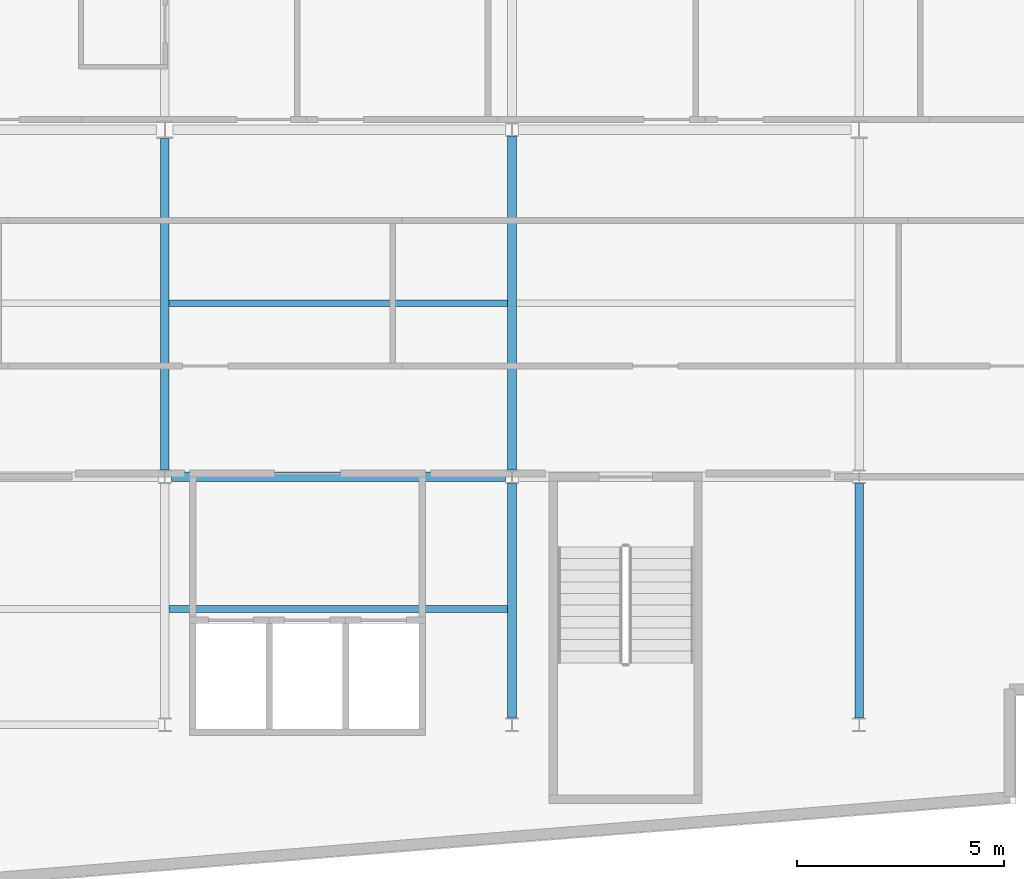
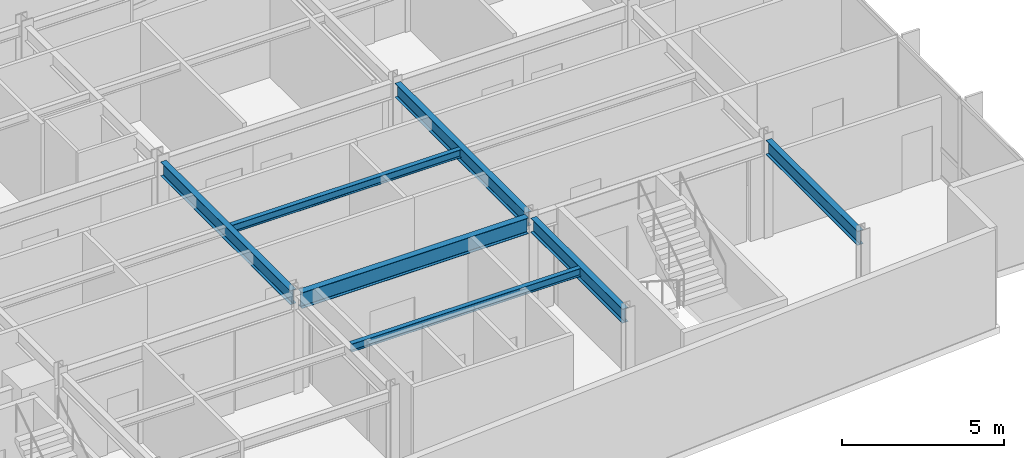
# One storey, part 4 of 18: 7 beams.
"""IFC4 building model written with IfcOpenShell, lengths in metres."""

from ifc_helpers import new_model, si_unit, direction, frame, origin, origin_2d, place, context, subcontext, project, spatial, i_section, extrude, material, material_profile, profile_set, type_object, element, save


model = new_model("IFC4")

# Units and contexts
model_context = context("Model", 3, precision=1e-05, world=origin(), true_north=direction((0.0, 1.0)))
body_context = subcontext(model_context, "Body", "Model", "MODEL_VIEW")
ifc_project = project(units=[si_unit("LENGTHUNIT", "METRE"), si_unit("AREAUNIT", "SQUARE_METRE"), si_unit("VOLUMEUNIT", "CUBIC_METRE"), si_unit("PLANEANGLEUNIT", "RADIAN"), si_unit("MASSUNIT", "GRAM", prefix="KILO")], contexts=[model_context])

# Site, building, storey
site_placement = place(None, origin())
site = spatial("IfcSite", under=ifc_project, at=site_placement, CompositionType="ELEMENT")
building_placement = place(site_placement, origin())
building = spatial("IfcBuilding", under=site, at=building_placement, Name="Varnakote Quay Hospital", CompositionType="ELEMENT")
storey_placement = place(building_placement, frame((0.0, 0.0, 123.10009765625)))
storey = spatial("IfcBuildingStorey", under=building, at=storey_placement, Name="L30", CompositionType="ELEMENT", Elevation=123.10009765625)

# Beams
ifc_material_1 = material(Name="Structural steel AS/NZS 3679.1 Grade 350 L0 (fy 340 MPa)", Category="steel")
ifc_material_profile_1 = material_profile(ifc_material_1, i_section(OverallWidth=0.208984375, OverallDepth=0.532958984375, WebThickness=0.01025390625, FlangeThickness=0.015625, FilletRadius=0.013916015625, at=origin_2d()), Name="530UB92.4")
ifc_profile_set_1 = profile_set([ifc_material_profile_1], Name="Structural steel AS/NZS 3679.1 Grade 350 L0 (fy 340 MPa)")
beam_type_1 = type_object("IfcBeamType", Name="BM-STL-530UB92-4", PredefinedType="BEAM", material=ifc_profile_set_1)
beam_1_placement = place(storey_placement, frame((33.60009765625, 12.160400390625, 3.443359375), z_axis=(0.0, 1.0, 0.0), x_axis=(-1.0, 0.0, 0.0)))
element("IfcBeam", 1, at=beam_1_placement, inside=storey, type_object=beam_type_1, Name="L30 Primary Tie Beam", PredefinedType="BEAM", context=body_context, shape_type="SweptSolid", body=[
    extrude(i_section(OverallWidth=0.208984375, OverallDepth=0.532958984375, WebThickness=0.01025390625, FlangeThickness=0.015625, FilletRadius=0.013916015625, at=origin_2d()), origin(), (0.0, 0.0, 1.0), 8.029541015625),
])
beam_2_placement = place(storey_placement, frame((42.0, 6.160400390625, 3.443359375), z_axis=(0.0, 1.0, 0.0), x_axis=(-1.0, 0.0, 0.0)))
element("IfcBeam", 2, at=beam_2_placement, inside=storey, type_object=beam_type_1, Name="L30 Primary Tie Beam", PredefinedType="BEAM", context=body_context, shape_type="SweptSolid", body=[
    extrude(i_section(OverallWidth=0.208984375, OverallDepth=0.532958984375, WebThickness=0.01025390625, FlangeThickness=0.015625, FilletRadius=0.013916015625, at=origin_2d()), origin(), (0.0, 0.0, 1.0), 5.67919921875),
])
beam_3_placement = place(storey_placement, frame((42.0, 12.160400390625, 3.443359375), z_axis=(0.0, 1.0, 0.0), x_axis=(-1.0, 0.0, 0.0)))
element("IfcBeam", 3, at=beam_3_placement, inside=storey, type_object=beam_type_1, Name="L30 Primary Tie Beam", PredefinedType="BEAM", context=body_context, shape_type="SweptSolid", body=[
    extrude(i_section(OverallWidth=0.208984375, OverallDepth=0.532958984375, WebThickness=0.01025390625, FlangeThickness=0.015625, FilletRadius=0.013916015625, at=origin_2d()), origin(), (0.0, 0.0, 1.0), 8.0791015625),
])
beam_4_placement = place(storey_placement, frame((50.39990234375, 6.160400390625, 3.443359375), z_axis=(0.0, 1.0, 0.0), x_axis=(-1.0, 0.0, 0.0)))
element("IfcBeam", 4, at=beam_4_placement, inside=storey, type_object=beam_type_1, Name="L30 Primary Tie Beam", PredefinedType="BEAM", context=body_context, shape_type="SweptSolid", body=[
    extrude(i_section(OverallWidth=0.208984375, OverallDepth=0.532958984375, WebThickness=0.01025390625, FlangeThickness=0.015625, FilletRadius=0.013916015625, at=origin_2d()), origin(), (0.0, 0.0, 1.0), 5.67919921875),
])
ifc_material_2 = material(Name="Structural steel AS/NZS 3679.1 Grade 350 L0 (fy 340 MPa)", Category="steel")
ifc_material_profile_2 = material_profile(ifc_material_2, i_section(OverallWidth=0.22802734375, OverallDepth=0.60205078125, WebThickness=0.010498046875, FlangeThickness=0.014892578125, FilletRadius=0.013916015625, at=origin_2d()), Name="610UB101")
ifc_profile_set_2 = profile_set([ifc_material_profile_2], Name="Structural steel AS/NZS 3679.1 Grade 350 L0 (fy 340 MPa)")
beam_type_2 = type_object("IfcBeamType", Name="BM-STL-610UB101", PredefinedType="BEAM", material=ifc_profile_set_2)
beam_5_placement = place(storey_placement, frame((33.75439453125, 12.0, 3.408935546875), z_axis=(1.0, 0.0, 0.0), x_axis=(0.0, 1.0, 0.0)))
element("IfcBeam", 5, at=beam_5_placement, inside=storey, type_object=beam_type_2, Name="L30 Primary Floor Beam", PredefinedType="BEAM", context=body_context, shape_type="SweptSolid", body=[
    extrude(i_section(OverallWidth=0.22802734375, OverallDepth=0.60205078125, WebThickness=0.010498046875, FlangeThickness=0.014892578125, FilletRadius=0.013916015625, at=origin_2d()), origin(), (0.0, 0.0, 1.0), 8.091064453125),
])
ifc_material_3 = material(Name="Structural steel AS/NZS 3679.1 Grade 350 L0 (fy 340 MPa)", Category="steel")
ifc_material_profile_3 = material_profile(ifc_material_3, i_section(OverallWidth=0.1650390625, OverallDepth=0.303955078125, WebThickness=0.006103515625, FlangeThickness=0.01025390625, FilletRadius=0.011474609375, at=origin_2d()), Name="310UB40.4")
ifc_profile_set_3 = profile_set([ifc_material_profile_3], Name="Structural steel AS/NZS 3679.1 Grade 350 L0 (fy 340 MPa)")
beam_type_3 = type_object("IfcBeamType", Name="JST-STL-310UB40-4", PredefinedType="JOIST", material=ifc_profile_set_3)
for number, where, z_axis, x_axis, name in (
    (6, (33.70458984375, 8.800048828125, 3.557861328125), (1.0, 0.0, 0.0), (0.0, 1.0, 0.0), "L30 Composite Floor Joist"),
    (7, (33.70458984375, 16.199951171875, 3.557861328125), (1.0, 0.0, 0.0), (0.0, 1.0, 0.0), "L30 Composite Floor Joist"),
):
    element("IfcBeam", number, at=place(storey_placement, frame(where, z_axis=z_axis, x_axis=x_axis)), inside=storey, type_object=beam_type_3, Name=name, PredefinedType="JOIST", context=body_context, shape_type="SweptSolid", body=[
        extrude(i_section(OverallWidth=0.1650390625, OverallDepth=0.303955078125, WebThickness=0.006103515625, FlangeThickness=0.01025390625, FilletRadius=0.011474609375, at=origin_2d()), origin(), (0.0, 0.0, 1.0), 8.19091796875),
    ])

save(model, "model.ifc")
